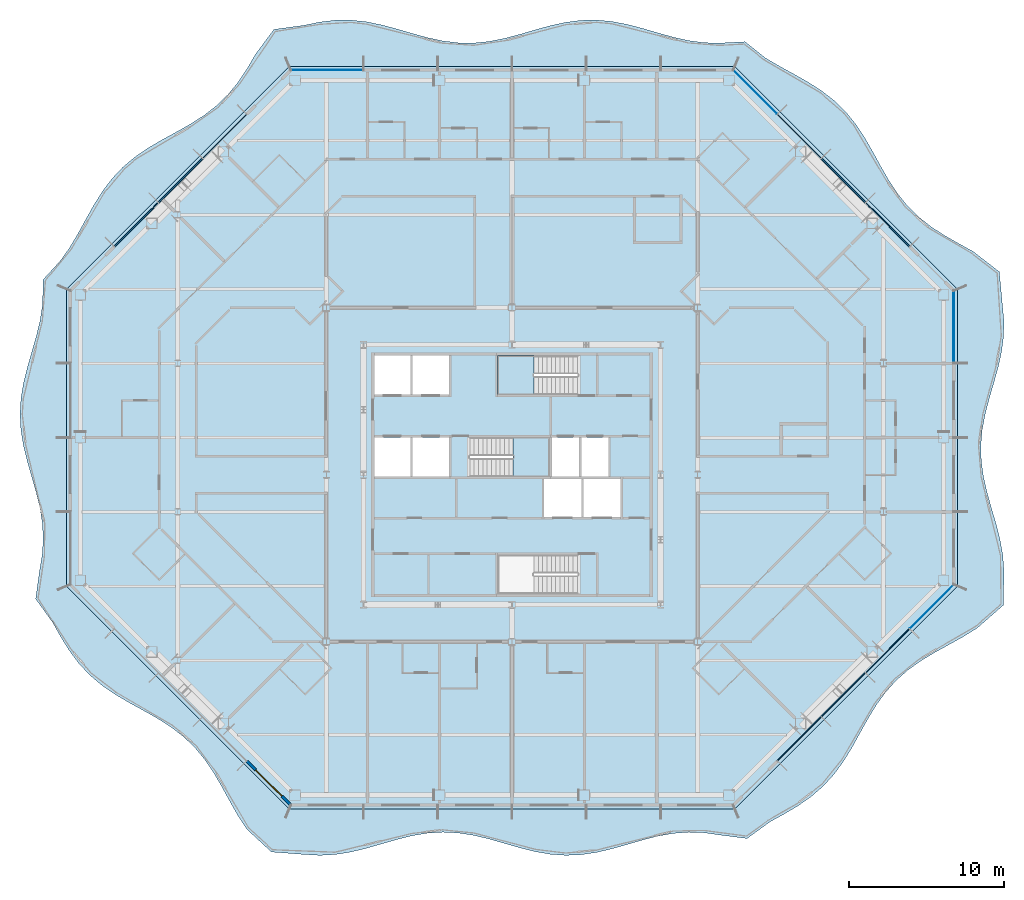
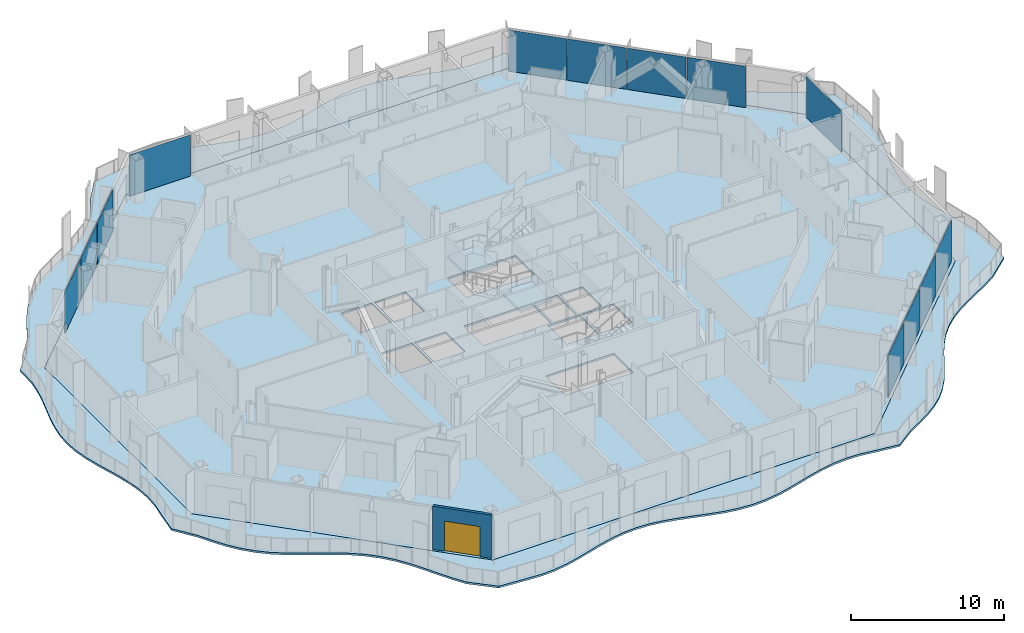
# One storey, part 6 of 21: 13 plates, 4 slabs, 1 door, 1 wall, 1 opening, 7 elements without a shape of their own.
"""IFC4 building model written with IfcOpenShell, lengths in metres."""

from ifc_helpers import new_model, si_unit, direction, frame, frame_2d, origin, origin_2d, place, context, subcontext, project, spatial, polyline, rectangle, outline, extrude, material, layer, layer_set, type_object, element, fill, aggregate, save


model = new_model("IFC4")

# Units and contexts
model_context = context("Model", 3, precision=1e-05, world=origin(), true_north=direction((0.0, 1.0)))
body_context = subcontext(model_context, "Body", "Model", "MODEL_VIEW")
ifc_project = project(units=[si_unit("LENGTHUNIT", "METRE"), si_unit("AREAUNIT", "SQUARE_METRE"), si_unit("VOLUMEUNIT", "CUBIC_METRE"), si_unit("PLANEANGLEUNIT", "RADIAN"), si_unit("MASSUNIT", "GRAM", prefix="KILO")], contexts=[model_context])

# Site, building, storey
site_placement = place(None, origin())
site = spatial("IfcSite", under=ifc_project, at=site_placement, CompositionType="ELEMENT")
building_placement = place(site_placement, origin())
building = spatial("IfcBuilding", under=site, at=building_placement, Name="Cairn Pilgrim Tower", CompositionType="ELEMENT")
storey_placement = place(building_placement, frame((0.0, 0.0, 136.199951171875)))
storey = spatial("IfcBuildingStorey", under=building, at=storey_placement, Name="L33", CompositionType="ELEMENT", Elevation=136.199951171875)

# Slabs
ifc_material_1 = material(Name="Concrete C35/45", Category="concrete")
ifc_layer_1 = layer(ifc_material_1, 0.14990234375)
ifc_layer_set_1 = layer_set([ifc_layer_1], Name="BALCONY SLAB 150 CONCRETE C35/45")
slab_type_1 = type_object("IfcSlabType", Name="BALCONY SLAB 150 CONCRETE C35/45", PredefinedType="FLOOR", material=ifc_layer_set_1)
slab_1_placement = place(storey_placement, frame((0.0, 0.0, -0.14990234375)))
element("IfcSlab", 1, at=slab_1_placement, inside=storey, type_object=slab_type_1, Name="Balcony slab BS-1", PredefinedType="FLOOR", context=body_context, shape_type="SweptSolid", body=[
    extrude(outline(polyline([(-9.94482421875, -20.5048828125), (-8.3515625, -21.980224609375), (-6.206787109375, -22.14208984375), (-5.2138671875, -22.199951171875), (-4.220703125, -22.145263671875), (-3.2275390625, -21.986083984375), (-2.234375, -21.746337890625), (-1.241455078125, -21.462158203125), (-0.248291015625, -21.17626953125), (0.744873046875, -20.931396484375), (1.738037109375, -20.764404296875), (2.73095703125, -20.7001953125), (3.72412109375, -20.748779296875), (4.71728515625, -20.90283203125), (5.71044921875, -21.138671875), (6.703369140625, -21.421630859375), (7.696533203125, -21.708740234375), (8.689697265625, -21.956787109375), (9.682861328125, -22.12890625), (10.67578125, -22.19921875), (11.6689453125, -22.15673828125), (12.662109375, -22.00830078125), (13.6552734375, -21.77587890625), (14.648193359375, -21.49462890625), (15.641357421875, -21.206787109375), (16.634521484375, -20.955322265625), (17.627685546875, -20.778076171875), (18.62060546875, -20.701904296875), (19.61376953125, -20.738037109375), (20.60693359375, -20.881103515625), (22.390869140625, -21.109619140625), (23.873046875, -20.033203125), (24.802001953125, -19.52197265625), (25.7041015625, -18.98388671875), (26.55029296875, -18.39013671875), (27.32080078125, -17.720947265625), (28.0078125, -16.9677734375), (28.616455078125, -16.136474609375), (29.164306640625, -15.244384765625), (29.678466796875, -14.318359375), (30.19140625, -13.391357421875), (30.73583984375, -12.495849609375), (31.339599609375, -11.659423828125), (32.020751953125, -10.900634765625), (32.78564453125, -10.2255859375), (33.626953125, -9.626953125), (34.52587890625, -9.0859375), (35.453857421875, -8.573974609375), (36.37841796875, -8.058349609375), (37.266845703125, -7.5068359375), (38.9599609375, -6.026123046875), (38.998291015625, -3.78955078125), (38.920166015625, -2.779052734375), (38.738037109375, -1.768310546875), (38.47998046875, -0.7578125), (38.18603515625, 0.252685546875), (37.90234375, 1.26318359375), (37.67236328125, 2.273681640625), (37.532470703125, 3.2841796875), (37.50390625, 4.294677734375), (37.59130859375, 5.30517578125), (37.78125, 6.315673828125), (38.0439453125, 7.326416015625), (38.338623046875, 8.3369140625), (38.61962890625, 9.347412109375), (38.843017578125, 10.35791015625), (38.974365234375, 11.368408203125), (38.9931640625, 12.37890625), (38.896484375, 13.389404296875), (38.69921875, 15.51806640625), (36.998291015625, 16.838134765625), (36.06787109375, 17.347900390625), (35.150390625, 17.870361328125), (34.27734375, 18.4375), (33.47265625, 19.07275390625), (32.749755859375, 19.789794921875), (32.109130859375, 20.589111328125), (31.5380859375, 21.458251953125), (31.013427734375, 22.373291015625), (30.504150390625, 23.303955078125), (29.976806640625, 24.216796875), (29.4013671875, 25.081298828125), (28.7548828125, 25.874755859375), (28.025634765625, 26.585693359375), (27.21533203125, 27.21533203125), (26.337890625, 27.778076171875), (25.41845703125, 28.298583984375), (24.488525390625, 28.808349609375), (23.580810546875, 29.3408203125), (22.25927734375, 30.391357421875), (20.60693359375, 30.304443359375), (19.61376953125, 30.329345703125), (18.62060546875, 30.462646484375), (17.627685546875, 30.68408203125), (16.634521484375, 30.96044921875), (15.641357421875, 31.250244140625), (14.648193359375, 31.510009765625), (13.6552734375, 31.70068359375), (12.662109375, 31.793701171875), (11.6689453125, 31.77490234375), (10.67578125, 31.6474609375), (9.682861328125, 31.43017578125), (8.689697265625, 31.15576171875), (7.696533203125, 30.865478515625), (6.703369140625, 30.60302734375), (5.71044921875, 30.40771484375), (4.71728515625, 30.30859375), (3.72412109375, 30.321044921875), (2.73095703125, 30.44287109375), (1.738037109375, 30.656005859375), (0.744873046875, 30.92822265625), (-0.248291015625, 31.21875), (-1.241455078125, 31.48388671875), (-2.234375, 31.683837890625), (-3.2275390625, 31.78857421875), (-4.220703125, 31.782470703125), (-5.2138671875, 31.66650390625), (-6.206787109375, 31.457763671875), (-8.18896484375, 31.187744140625), (-9.397705078125, 29.557861328125), (-9.925048828125, 28.64501953125), (-10.50048828125, 27.780517578125), (-11.147216796875, 26.987060546875), (-11.876220703125, 26.2763671875), (-12.686767578125, 25.646728515625), (-13.56396484375, 25.083984375), (-14.483642578125, 24.5634765625), (-15.41357421875, 24.0537109375), (-16.3212890625, 23.521240234375), (-17.1767578125, 22.936767578125), (-17.958740234375, 22.27880859375), (-18.657470703125, 21.53759765625), (-19.2763671875, 20.71630859375), (-19.831298828125, 19.831298828125), (-20.34814453125, 18.908203125), (-20.859375, 17.979248046875), (-21.3974609375, 17.07763671875), (-21.991455078125, 16.2314453125), (-23.1005859375, 15.021484375), (-23.146728515625, 13.389404296875), (-23.30224609375, 12.37890625), (-23.54296875, 11.368408203125), (-23.831298828125, 10.35791015625), (-24.122314453125, 9.347412109375), (-24.371337890625, 8.3369140625), (-24.539306640625, 7.326416015625), (-24.599853515625, 6.315673828125), (-24.544189453125, 5.30517578125), (-24.38037109375, 4.294677734375), (-24.13427734375, 3.2841796875), (-23.843994140625, 2.273681640625), (-23.5546875, 1.26318359375), (-23.31103515625, 0.252685546875), (-23.1513671875, -0.7578125), (-23.100341796875, -1.768310546875), (-23.16552734375, -2.779052734375), (-23.33740234375, -3.78955078125), (-23.5888671875, -5.623779296875), (-22.494384765625, -7.13427734375), (-21.978759765625, -8.058837890625), (-21.42724609375, -8.947265625), (-20.813232421875, -9.773193359375), (-20.119873046875, -10.52001953125), (-19.34326171875, -11.18310546875), (-18.491943359375, -11.77197265625), (-17.5869140625, -12.306884765625), (-16.6572265625, -12.8173828125), (-15.736083984375, -13.336181640625), (-14.855224609375, -13.895263671875), (-14.039794921875, -14.519775390625), (-13.30517578125, -15.22509765625), (-12.6533203125, -16.013427734375), (-12.07373046875, -16.873779296875), (-11.544189453125, -17.784423828125), (-11.03466796875, -18.71484375), (-10.511962890625, -19.632080078125), (-9.94482421875, -20.5048828125)]), holes=[polyline([(21.60009765625, -19.199951171875), (-7.199951171875, -19.199951171875), (-21.60009765625, -4.800048828125), (-21.60009765625, 14.39990234375), (-7.199951171875, 28.800048828125), (21.60009765625, 28.800048828125), (36.0, 14.39990234375), (36.0, -4.800048828125), (21.60009765625, -19.199951171875)])]), origin(), (0.0, 0.0, 1.0), 0.14990234375),
])
ifc_layer_2 = layer(ifc_material_1, 0.14990234375)
ifc_layer_set_2 = layer_set([ifc_layer_2], Name="COMPOSITE FLOOR SLAB 150")
slab_type_2 = type_object("IfcSlabType", Name="COMPOSITE FLOOR SLAB 150", PredefinedType="FLOOR", material=ifc_layer_set_2)
slab_2_placement = place(storey_placement, frame((0.0, 0.0, -0.14990234375)))
element("IfcSlab", 2, at=slab_2_placement, inside=storey, type_object=slab_type_2, Name="FLOOR SLAB L33", PredefinedType="FLOOR", context=body_context, shape_type="SweptSolid", body=[
    extrude(outline(polyline([(-7.199951171875, -19.199951171875), (21.60009765625, -19.199951171875), (36.0, -4.800048828125), (36.0, 14.39990234375), (21.60009765625, 28.800048828125), (-7.199951171875, 28.800048828125), (-21.60009765625, 14.39990234375), (-21.60009765625, -4.800048828125), (-7.199951171875, -19.199951171875)]), holes=[polyline([(9.27490234375, -0.324951171875), (11.675048828125, -0.324951171875), (11.675048828125, 2.125), (9.27490234375, 2.125), (9.27490234375, -0.324951171875)]), polyline([(11.824951171875, -0.324951171875), (14.22509765625, -0.324951171875), (14.22509765625, 2.125), (11.824951171875, 2.125), (11.824951171875, -0.324951171875)]), polyline([(-1.72509765625, 2.27490234375), (0.625, 2.27490234375), (0.625, 4.824951171875), (-1.72509765625, 4.824951171875), (-1.72509765625, 2.27490234375)]), polyline([(0.77490234375, 2.27490234375), (3.125, 2.27490234375), (3.125, 4.824951171875), (0.77490234375, 4.824951171875), (0.77490234375, 2.27490234375)]), polyline([(-1.72509765625, 7.574951171875), (0.625, 7.574951171875), (0.625, 10.10009765625), (-1.72509765625, 10.10009765625), (-1.72509765625, 7.574951171875)]), polyline([(0.77490234375, 7.574951171875), (3.125, 7.574951171875), (3.125, 10.10009765625), (0.77490234375, 10.10009765625), (0.77490234375, 7.574951171875)]), polyline([(9.77490234375, 2.27490234375), (11.52490234375, 2.27490234375), (11.52490234375, 4.824951171875), (9.77490234375, 4.824951171875), (9.77490234375, 2.27490234375)]), polyline([(11.675048828125, 2.27490234375), (13.425048828125, 2.27490234375), (13.425048828125, 4.824951171875), (11.675048828125, 4.824951171875), (11.675048828125, 2.27490234375)]), polyline([(11.424560546875, -2.77490234375), (6.27490234375, -2.77490234375), (6.27490234375, -5.300048828125), (11.424560546875, -5.300048828125), (11.424560546875, -2.77490234375)]), polyline([(4.4755859375, 2.27490234375), (9.625, 2.27490234375), (9.625, 4.824951171875), (4.4755859375, 4.824951171875), (4.4755859375, 2.27490234375)]), polyline([(11.424560546875, 10.10009765625), (6.27490234375, 10.10009765625), (6.27490234375, 7.574951171875), (11.424560546875, 7.574951171875), (11.424560546875, 10.10009765625)])]), origin(), (0.0, 0.0, 1.0), 0.14990234375),
])

# Curtain wall, plates
ifc_material_2 = material(Name="Aluminium alloy 6063-T6 bronze anodised with Bronze tinted laminated low-E glass 8+16+8.8", Category="aluminium")
curtain_wall_type_1 = type_object("IfcCurtainWallType", Name="CHAMFER CORNER CURTAIN WALL", PredefinedType="NOTDEFINED", material=ifc_material_2)
curtain_wall_1_placement = place(storey_placement, origin())
curtain_wall_1 = element("IfcCurtainWall", 3, at=curtain_wall_1_placement, inside=storey, type_object=curtain_wall_type_1, Name="Chamfer Corner Curtain Wall SE", PredefinedType="NOTDEFINED")
ifc_material_3 = material(Name="Bronze anodised aluminium spandrel panel with mineral wool insulation", Category="aluminium")
ifc_layer_3 = layer(ifc_material_3, 0.06005859375)
ifc_layer_set_3 = layer_set([ifc_layer_3], Name="SPANDREL PANEL 3972x3300")
plate_type_1 = type_object("IfcPlateType", Name="SPANDREL PANEL 3972x3300", PredefinedType="CURTAIN_PANEL", material=ifc_layer_set_3)
plate_1_placement = place(storey_placement, frame((25.7724609375, -14.673828125, 0.0), z_axis=(0.0, 0.0, 1.0), x_axis=(0.707106781187, 0.707106781187, 0.0)))
plate_1 = element("IfcPlate", 4, at=plate_1_placement, type_object=plate_type_1, Name="Spandrel Panel SE2-1", PredefinedType="CURTAIN_PANEL", context=body_context, shape_type="SweptSolid", body=[
    extrude(rectangle(XDim=3.971435546875, YDim=0.06005859375, at=origin_2d()), origin(), (0.0, 0.0, 1.0), 3.300048828125),
])
plate_2_placement = place(storey_placement, frame((28.623291015625, -11.8232421875, 0.0), z_axis=(0.0, 0.0, 1.0), x_axis=(0.707106781187, 0.707106781187, 0.0)))
plate_2 = element("IfcPlate", 5, at=plate_2_placement, type_object=plate_type_1, Name="Spandrel Panel SE3-1", PredefinedType="CURTAIN_PANEL", context=body_context, shape_type="SweptSolid", body=[
    extrude(rectangle(XDim=3.971435546875, YDim=0.06005859375, at=origin_2d()), origin(), (0.0, 0.0, 1.0), 3.300048828125),
])
plate_3_placement = place(storey_placement, frame((31.473876953125, -8.972412109375, 0.0), z_axis=(0.0, 0.0, 1.0), x_axis=(0.707106781187, 0.707106781187, 0.0)))
plate_3 = element("IfcPlate", 6, at=plate_3_placement, type_object=plate_type_1, Name="Spandrel Panel SE4-1", PredefinedType="CURTAIN_PANEL", context=body_context, shape_type="SweptSolid", body=[
    extrude(rectangle(XDim=3.971435546875, YDim=0.06005859375, at=origin_2d()), origin(), (0.0, 0.0, 1.0), 3.300048828125),
])

curtain_wall_2_placement = place(storey_placement, origin())
curtain_wall_2 = element("IfcCurtainWall", 7, at=curtain_wall_2_placement, inside=storey, type_object=curtain_wall_type_1, Name="Chamfer Corner Curtain Wall NE", PredefinedType="NOTDEFINED")
plate_4_placement = place(storey_placement, frame((31.473876953125, 18.572509765625, 0.0), z_axis=(0.0, 0.0, 1.0), x_axis=(-0.707106781187, 0.707106781187, 0.0)))
plate_4 = element("IfcPlate", 8, at=plate_4_placement, type_object=plate_type_1, Name="Spandrel Panel NE2-1", PredefinedType="CURTAIN_PANEL", context=body_context, shape_type="SweptSolid", body=[
    extrude(rectangle(XDim=3.971435546875, YDim=0.06005859375, at=origin_2d()), origin(), (0.0, 0.0, 1.0), 3.300048828125),
])
plate_5_placement = place(storey_placement, frame((28.623291015625, 21.42333984375, 0.0), z_axis=(0.0, 0.0, 1.0), x_axis=(-0.707106781187, 0.707106781187, 0.0)))
plate_5 = element("IfcPlate", 9, at=plate_5_placement, type_object=plate_type_1, Name="Spandrel Panel NE3-1", PredefinedType="CURTAIN_PANEL", context=body_context, shape_type="SweptSolid", body=[
    extrude(rectangle(XDim=3.971435546875, YDim=0.06005859375, at=origin_2d()), origin(), (0.0, 0.0, 1.0), 3.300048828125),
])
plate_6_placement = place(storey_placement, frame((25.7724609375, 24.27392578125, 0.0), z_axis=(0.0, 0.0, 1.0), x_axis=(-0.707106781187, 0.707106781187, 0.0)))
plate_6 = element("IfcPlate", 10, at=plate_6_placement, type_object=plate_type_1, Name="Spandrel Panel NE4-1", PredefinedType="CURTAIN_PANEL", context=body_context, shape_type="SweptSolid", body=[
    extrude(rectangle(XDim=3.971435546875, YDim=0.06005859375, at=origin_2d()), origin(), (0.0, 0.0, 1.0), 3.300048828125),
])

curtain_wall_3_placement = place(storey_placement, origin())
curtain_wall_3 = element("IfcCurtainWall", 11, at=curtain_wall_3_placement, inside=storey, type_object=curtain_wall_type_1, Name="Chamfer Corner Curtain Wall NW", PredefinedType="NOTDEFINED")
plate_7_placement = place(storey_placement, frame((-11.37255859375, 24.27392578125, 0.0), z_axis=(0.0, 0.0, 1.0), x_axis=(-0.707106781187, -0.707106781187, 0.0)))
plate_7 = element("IfcPlate", 12, at=plate_7_placement, type_object=plate_type_1, Name="Spandrel Panel NW2-1", PredefinedType="CURTAIN_PANEL", context=body_context, shape_type="SweptSolid", body=[
    extrude(rectangle(XDim=3.971435546875, YDim=0.06005859375, at=origin_2d()), origin(), (0.0, 0.0, 1.0), 3.300048828125),
])
plate_8_placement = place(storey_placement, frame((-14.22314453125, 21.42333984375, 0.0), z_axis=(0.0, 0.0, 1.0), x_axis=(-0.707106781187, -0.707106781187, 0.0)))
plate_8 = element("IfcPlate", 13, at=plate_8_placement, type_object=plate_type_1, Name="Spandrel Panel NW3-1", PredefinedType="CURTAIN_PANEL", context=body_context, shape_type="SweptSolid", body=[
    extrude(rectangle(XDim=3.971435546875, YDim=0.06005859375, at=origin_2d()), origin(), (0.0, 0.0, 1.0), 3.300048828125),
])
plate_9_placement = place(storey_placement, frame((-17.073974609375, 18.572509765625, 0.0), z_axis=(0.0, 0.0, 1.0), x_axis=(-0.707106781187, -0.707106781187, 0.0)))
plate_9 = element("IfcPlate", 14, at=plate_9_placement, type_object=plate_type_1, Name="Spandrel Panel NW4-1", PredefinedType="CURTAIN_PANEL", context=body_context, shape_type="SweptSolid", body=[
    extrude(rectangle(XDim=3.971435546875, YDim=0.06005859375, at=origin_2d()), origin(), (0.0, 0.0, 1.0), 3.300048828125),
])
aggregate(curtain_wall_3, [plate_7, plate_8, plate_9])

# Stair, slab
ifc_material_4 = material(Name="Concrete C32/40", Category="concrete")
stair_type = type_object("IfcStairType", Name="EXIT STAIR 1200", PredefinedType="HALF_TURN_STAIR", material=ifc_material_4)
stair_1_placement = place(storey_placement, origin())
stair_1 = element("IfcStair", 15, at=stair_1_placement, inside=storey, type_object=stair_type, Name="L33 Exit Stair B", PredefinedType="HALF_TURN_STAIR")
ifc_layer_4 = layer(ifc_material_4, 0.199951171875)
ifc_layer_set_4 = layer_set([ifc_layer_4], Name="STAIR LANDING 200")
slab_type_3 = type_object("IfcSlabType", Name="STAIR LANDING 200", PredefinedType="LANDING", material=ifc_layer_set_4)
slab_3_placement = place(storey_placement, frame((0.0, 0.0, 1.60009765625)))
slab_3 = element("IfcSlab", 16, at=slab_3_placement, type_object=slab_type_3, Name="ST-B landing 1", PredefinedType="LANDING", context=body_context, shape_type="SweptSolid", body=[
    extrude(outline(polyline([(7.27490234375, 2.27490234375), (9.625, 2.27490234375), (9.625, 4.824951171875), (7.27490234375, 4.824951171875), (7.27490234375, 2.27490234375)])), origin(), (0.0, 0.0, 1.0), 0.199951171875),
])
aggregate(stair_1, [slab_3])

stair_2_placement = place(storey_placement, origin())
stair_2 = element("IfcStair", 17, at=stair_2_placement, inside=storey, type_object=stair_type, Name="L33 Exit Stair C", PredefinedType="HALF_TURN_STAIR")
slab_4_placement = place(storey_placement, frame((0.0, 0.0, 1.60009765625)))
slab_4 = element("IfcSlab", 18, at=slab_4_placement, type_object=slab_type_3, Name="ST-C landing 1", PredefinedType="LANDING", context=body_context, shape_type="SweptSolid", body=[
    extrude(outline(polyline([(8.625, 10.10009765625), (6.27490234375, 10.10009765625), (6.27490234375, 7.574951171875), (8.625, 7.574951171875), (8.625, 10.10009765625)])), origin(), (0.0, 0.0, 1.0), 0.199951171875),
])
aggregate(stair_2, [slab_4])

# Plate
ifc_material_5 = material(Name="Bronze tinted laminated low-E glass 8+16+8.8", Category="glass")
ifc_layer_5 = layer(ifc_material_5, 0.033935546875)
ifc_layer_set_5 = layer_set([ifc_layer_5], Name="VISION GLAZING 3962x3300")
plate_type_2 = type_object("IfcPlateType", Name="VISION GLAZING 3962x3300", PredefinedType="CURTAIN_PANEL", material=ifc_layer_set_5)
plate_10_placement = place(storey_placement, frame((34.321044921875, -6.125244140625, 0.0), z_axis=(0.0, 0.0, 1.0), x_axis=(0.707106781187, 0.707106781187, 0.0)))
plate_10 = element("IfcPlate", 19, at=plate_10_placement, type_object=plate_type_2, Name="Vision Glazing SE5-1", PredefinedType="CURTAIN_PANEL", context=body_context, shape_type="SweptSolid", body=[
    extrude(rectangle(XDim=3.96142578125, YDim=0.033935546875, at=origin_2d()), origin(), (0.0, 0.0, 1.0), 3.300048828125),
])

aggregate(curtain_wall_1, [plate_1, plate_2, plate_3, plate_10])

plate_11_placement = place(storey_placement, frame((22.92529296875, 27.12109375, 0.0), z_axis=(0.0, 0.0, 1.0), x_axis=(-0.707106781187, 0.707106781187, 0.0)))
plate_11 = element("IfcPlate", 20, at=plate_11_placement, type_object=plate_type_2, Name="Vision Glazing NE5-1", PredefinedType="CURTAIN_PANEL", context=body_context, shape_type="SweptSolid", body=[
    extrude(rectangle(XDim=3.96142578125, YDim=0.033935546875, at=origin_2d()), origin(), (0.0, 0.0, 1.0), 3.300048828125),
])

aggregate(curtain_wall_2, [plate_4, plate_5, plate_6, plate_11])

# Curtain wall, plate
curtain_wall_type_2 = type_object("IfcCurtainWallType", Name="TOWER STICK CURTAIN WALL EW", PredefinedType="NOTDEFINED", material=ifc_material_2)
curtain_wall_4_placement = place(storey_placement, origin())
curtain_wall_4 = element("IfcCurtainWall", 21, at=curtain_wall_4_placement, inside=storey, type_object=curtain_wall_type_2, Name="Tower Stick Curtain Wall Ew E", PredefinedType="NOTDEFINED")
ifc_layer_6 = layer(ifc_material_5, 0.033935546875)
ifc_layer_set_6 = layer_set([ifc_layer_6], Name="VISION GLAZING 4626x3300")
plate_type_3 = type_object("IfcPlateType", Name="VISION GLAZING 4626x3300", PredefinedType="CURTAIN_PANEL", material=ifc_layer_set_6)
plate_12_placement = place(storey_placement, frame((35.75, 11.943115234375, 0.0), z_axis=(0.0, 0.0, 1.0), x_axis=(0.0, 1.0, 0.0)))
plate_12 = element("IfcPlate", 22, at=plate_12_placement, type_object=plate_type_3, Name="Vision Glazing E4-1", PredefinedType="CURTAIN_PANEL", context=body_context, shape_type="SweptSolid", body=[
    extrude(rectangle(XDim=4.62646484375, YDim=0.033935546875, at=origin_2d()), origin(), (0.0, 0.0, 1.0), 3.300048828125),
])
aggregate(curtain_wall_4, [plate_12])

curtain_wall_type_3 = type_object("IfcCurtainWallType", Name="TOWER STICK CURTAIN WALL NS", PredefinedType="NOTDEFINED", material=ifc_material_2)
curtain_wall_5_placement = place(storey_placement, origin())
curtain_wall_5 = element("IfcCurtainWall", 23, at=curtain_wall_5_placement, inside=storey, type_object=curtain_wall_type_3, Name="Tower Stick Curtain Wall Ns N", PredefinedType="NOTDEFINED")
plate_13_placement = place(storey_placement, frame((-4.7431640625, 28.550048828125, 0.0), z_axis=(0.0, 0.0, 1.0), x_axis=(-1.0, 0.0, 0.0)))
plate_13 = element("IfcPlate", 24, at=plate_13_placement, type_object=plate_type_3, Name="Vision Glazing N6-1", PredefinedType="CURTAIN_PANEL", context=body_context, shape_type="SweptSolid", body=[
    extrude(rectangle(XDim=4.62646484375, YDim=0.033935546875, at=origin_2d()), origin(), (0.0, 0.0, 1.0), 3.300048828125),
])
aggregate(curtain_wall_5, [plate_13])

# Wall, opening, door
ifc_material_6 = material(Name="Bronze anodised aluminium insulated sandwich panel with mineral wool fill", Category="aluminium")
ifc_layer_7 = layer(ifc_material_6, 0.199951171875)
ifc_layer_set_7 = layer_set([ifc_layer_7], Name="BRONZE INFILL FRAME WALL 200")
wall_type = type_object("IfcWallType", Name="BRONZE INFILL FRAME WALL 200", PredefinedType="NOTDEFINED", material=ifc_layer_set_7)
wall_placement = place(storey_placement, frame((-9.926025390625, -16.12060546875, 0.0), z_axis=(0.0, 0.0, 1.0), x_axis=(0.707137595296, -0.707075965734, 0.0)))
wall = element("IfcWall", 25, at=wall_placement, inside=storey, type_object=wall_type, Name="Bronze infill frame wall IW-SW5", PredefinedType="NOTDEFINED", context=body_context, shape_type="SweptSolid", body=[
    extrude(rectangle(XDim=3.96142578125, YDim=0.199951171875, at=frame_2d((1.980712890625, 0.0))), origin(), (0.0, 0.0, 1.0), 3.449951171875),
])
opening_placement = place(wall_placement, frame((0.78564453125, 0.0, 0.0)))
opening = element("IfcOpeningElement", 26, at=opening_placement, cuts=wall, Name="Opening 3320B2", PredefinedType="OPENING", context=body_context, shape_type="SweptSolid", body=[
    extrude(rectangle(XDim=2.39990234375, YDim=2.39990234375, at=frame_2d((1.199951171875, 1.199951171875))), frame((0.0, 0.10986328125, 0.0), z_axis=(0.0, -1.0, 0.0), x_axis=(1.0, 0.0, 0.0)), (0.0, 0.0, 1.0), 0.219970703125),
])
ifc_material_7 = material(Name="Bronze anodised aluminium frame with tinted low-E glass", Category="aluminium")
door_type = type_object("IfcDoorType", Name="BALCONY SLIDING DOOR 2400x2400", OperationType="DOUBLE_DOOR_SLIDING", PredefinedType="DOOR", material=ifc_material_7)
door_placement = place(opening_placement, origin())
door = element("IfcDoor", 27, at=door_placement, inside=storey, type_object=door_type, Name="Balcony sliding door 3320B2", OperationType="SINGLE_SWING_LEFT", OverallHeight=2.39990234375, OverallWidth=2.39990234375, PredefinedType="DOOR", context=body_context, shape_type="SweptSolid", body=[
    extrude(rectangle(XDim=2.39990234375, YDim=2.39990234375, at=frame_2d((1.199951171875, 1.199951171875))), frame((0.0, 0.02490234375, 0.0), z_axis=(0.0, -1.0, 0.0), x_axis=(1.0, 0.0, 0.0)), (0.0, 0.0, 1.0), 0.050048828125),
])
fill(opening, door)

save(model, "model.ifc")
